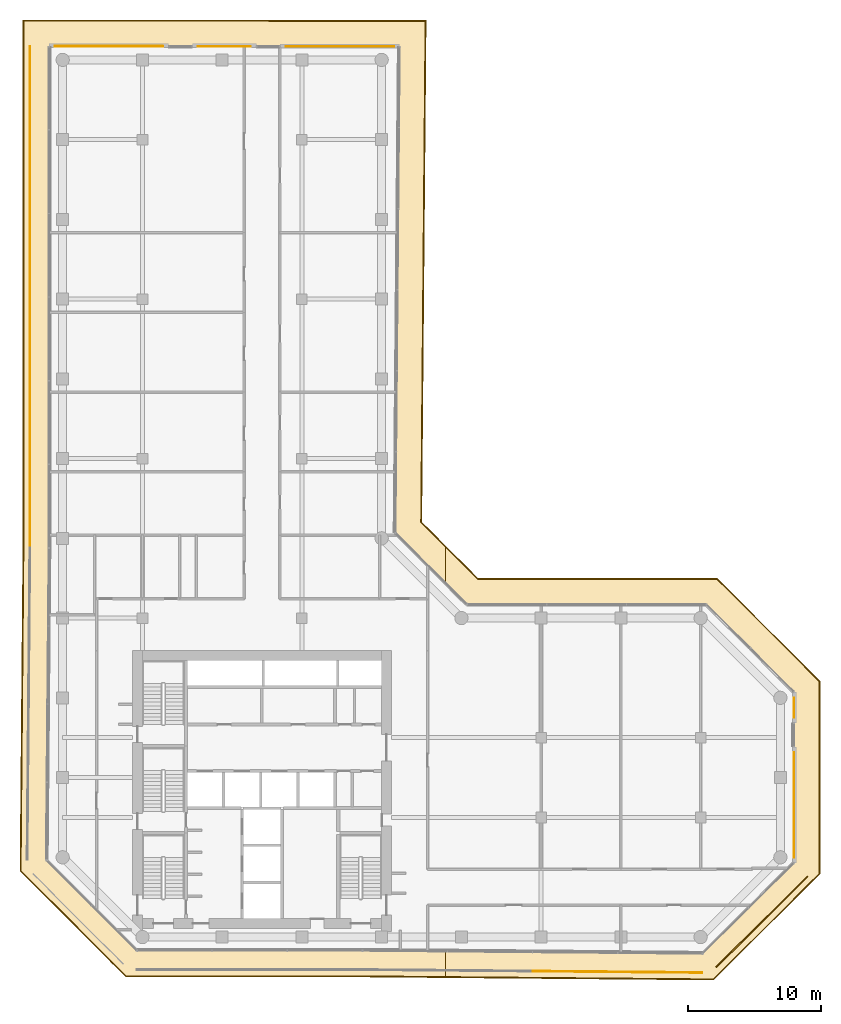
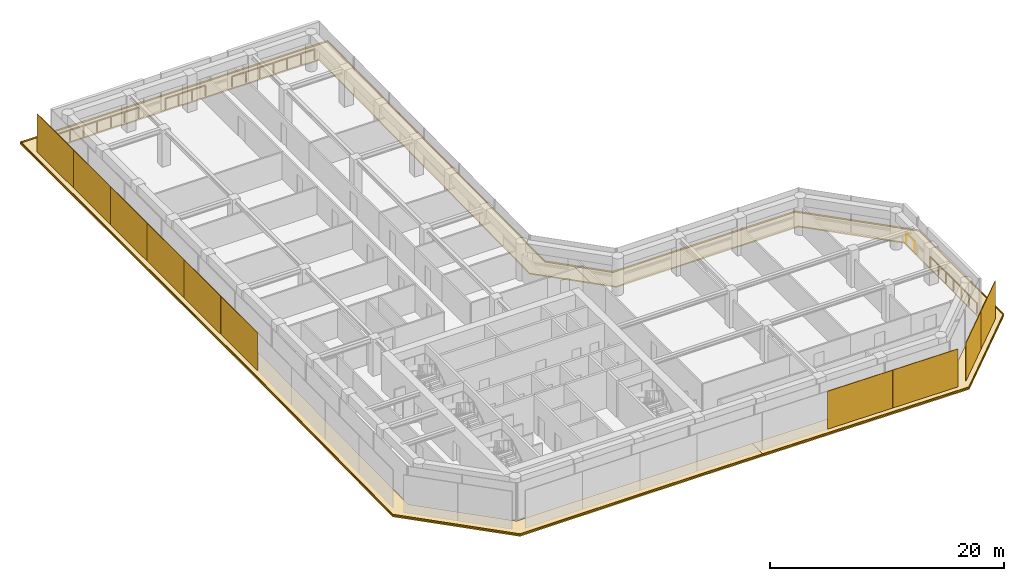
# One storey, part 23 of 23: 14 coverings, 5 railings.
"""IFC4 building model written with IfcOpenShell, lengths in metres."""

from ifc_helpers import new_model, si_unit, direction, frame, origin, origin_2d, place, context, subcontext, project, spatial, polyline, rectangle, circle, outline, extrude, material, layer, layer_set, type_object, element, save


model = new_model("IFC4")

# Units and contexts
model_context = context("Model", 3, precision=1e-05, world=origin(), true_north=direction((0.0, 1.0)))
body_context = subcontext(model_context, "Body", "Model", "MODEL_VIEW")
ifc_project = project(units=[si_unit("LENGTHUNIT", "METRE"), si_unit("AREAUNIT", "SQUARE_METRE"), si_unit("VOLUMEUNIT", "CUBIC_METRE"), si_unit("PLANEANGLEUNIT", "RADIAN"), si_unit("MASSUNIT", "GRAM", prefix="KILO")], contexts=[model_context])

# Site, building, storey
site_placement = place(None, origin())
site = spatial("IfcSite", under=ifc_project, at=site_placement, CompositionType="ELEMENT")
building_placement = place(site_placement, origin())
building = spatial("IfcBuilding", under=site, at=building_placement, Name="Welwitschia Terrace Campus", CompositionType="ELEMENT")
storey_placement = place(building_placement, frame((0.0, 0.0, 113.0)))
storey = spatial("IfcBuildingStorey", under=building, at=storey_placement, Name="L25", CompositionType="ELEMENT", Elevation=113.0)

# Coverings
ifc_material_1 = material(Name="Bronze mesh aluminium screen", Category="aluminium")
ifc_layer_1 = layer(ifc_material_1, 0.06005859375)
ifc_layer_set_1 = layer_set([ifc_layer_1], Name="Bronze mesh aluminium screen")
covering_type_1 = type_object("IfcCoveringType", Name="Bronze screen 60", PredefinedType="USERDEFINED", material=ifc_layer_set_1)
for number, where, z_axis, x_axis, name in (
    (1, (-2.4599609375, 67.884521484375, 0.0), (0.0, 0.0, 1.0), (0.0, -1.0, 0.0), "Screen L25.1.0"),
    (2, (-2.4599609375, 61.593505859375, 0.0), (0.0, 0.0, 1.0), (0.0, -1.0, 0.0), "Screen L25.1.1"),
    (3, (-2.4599609375, 55.302490234375, 0.0), (0.0, 0.0, 1.0), (0.0, -1.0, 0.0), "Screen L25.1.2"),
    (4, (-2.4599609375, 49.01123046875, 0.0), (0.0, 0.0, 1.0), (0.0, -1.0, 0.0), "Screen L25.1.3"),
    (5, (-2.4599609375, 42.72021484375, 0.0), (0.0, 0.0, 1.0), (0.0, -1.0, 0.0), "Screen L25.1.4"),
    (6, (-2.4599609375, 36.42919921875, 0.0), (0.0, 0.0, 1.0), (0.0, -1.0, 0.0), "Screen L25.1.5"),
):
    element("IfcCovering", number, at=place(storey_placement, frame(where, z_axis=z_axis, x_axis=x_axis)), inside=storey, type_object=covering_type_1, Name=name, ObjectType="SCREEN", PredefinedType="USERDEFINED", context=body_context, shape_type="SweptSolid", body=[
        extrude(rectangle(XDim=6.27099609375, YDim=0.06005859375, at=origin_2d()), origin(), (0.0, 0.0, 1.0), 3.949951171875),
    ])
for number, where, z_axis, x_axis, name in (
    (7, (38.5439453125, 1.400390625, 0.0), (0.0, 0.0, 1.0), (0.999961923064, -0.008726535498, 0.0), "Screen L25.5.2"),
    (8, (44.94775390625, 1.344482421875, 0.0), (0.0, 0.0, 1.0), (0.999961923064, -0.008726535498, 0.0), "Screen L25.5.3"),
):
    element("IfcCovering", number, at=place(storey_placement, frame(where, z_axis=z_axis, x_axis=x_axis)), inside=storey, type_object=covering_type_1, Name=name, ObjectType="SCREEN", PredefinedType="USERDEFINED", context=body_context, shape_type="SweptSolid", body=[
        extrude(rectangle(XDim=6.384033203125, YDim=0.06005859375, at=origin_2d()), origin(), (0.0, 0.0, 1.0), 3.949951171875),
    ])
for number, where, z_axis, x_axis, name in (
    (9, (50.88720703125, 3.43896484375, 0.0), (0.0, 0.0, 1.0), (0.70922178721, 0.704985430024, 0.0), "Screen L25.6.0"),
    (10, (54.3212890625, 6.852294921875, 0.0), (0.0, 0.0, 1.0), (0.70922178721, 0.704985430024, 0.0), "Screen L25.6.1"),
):
    element("IfcCovering", number, at=place(storey_placement, frame(where, z_axis=z_axis, x_axis=x_axis)), inside=storey, type_object=covering_type_1, Name=name, ObjectType="SCREEN", PredefinedType="USERDEFINED", context=body_context, shape_type="SweptSolid", body=[
        extrude(rectangle(XDim=4.82177734375, YDim=0.06005859375, at=origin_2d()), origin(), (0.0, 0.0, 1.0), 3.949951171875),
    ])

# Railings
ifc_material_2 = material(Name="Stainless steel grade 316", Category="steel")
railing_type = type_object("IfcRailingType", Name="Guard 1100", PredefinedType="GUARDRAIL", material=ifc_material_2)
railing_1_placement = place(storey_placement, frame((-0.579833984375, 71.02978515625, 0.0)))
element("IfcRailing", 11, at=railing_1_placement, inside=storey, type_object=railing_type, Name="Guard floor edge L25.0", PredefinedType="GUARDRAIL", context=body_context, shape_type="SweptSolid", body=[
    extrude(circle(Radius=0.02392578125, at=origin_2d()), frame((0.0, 0.0, 1.076171875), z_axis=(0.999999645834, -0.000841624037, 0.0), x_axis=(0.000841624037, 0.999999645834, 0.0)), (0.0, 0.0, 1.0), 8.122314453125),
    extrude(circle(Radius=0.02099609375, at=origin_2d()), origin(), (0.0, 0.0, 1.0), 1.052001953125),
    extrude(circle(Radius=0.02099609375, at=origin_2d()), frame((1.353759765625, -0.001220703125, 0.0)), (0.0, 0.0, 1.0), 1.052001953125),
    extrude(circle(Radius=0.02099609375, at=origin_2d()), frame((2.70751953125, -0.002197265625, 0.0)), (0.0, 0.0, 1.0), 1.052001953125),
    extrude(circle(Radius=0.02099609375, at=origin_2d()), frame((4.06103515625, -0.00341796875, 0.0)), (0.0, 0.0, 1.0), 1.052001953125),
    extrude(circle(Radius=0.02099609375, at=origin_2d()), frame((5.414794921875, -0.004638671875, 0.0)), (0.0, 0.0, 1.0), 1.052001953125),
    extrude(circle(Radius=0.02099609375, at=origin_2d()), frame((6.7685546875, -0.005615234375, 0.0)), (0.0, 0.0, 1.0), 1.052001953125),
    extrude(circle(Radius=0.02099609375, at=origin_2d()), frame((8.122314453125, -0.0068359375, 0.0)), (0.0, 0.0, 1.0), 1.052001953125),
])
railing_2_placement = place(storey_placement, frame((10.18994140625, 71.020751953125, 0.0)))
element("IfcRailing", 12, at=railing_2_placement, inside=storey, type_object=railing_type, Name="Guard floor edge L25.1", PredefinedType="GUARDRAIL", context=body_context, shape_type="SweptSolid", body=[
    extrude(circle(Radius=0.02392578125, at=origin_2d()), frame((0.0, 0.0, 1.076171875), z_axis=(0.999999677225, -0.000803460804, 0.0), x_axis=(0.000803460804, 0.999999677225, 0.0)), (0.0, 0.0, 1.0), 3.9501953125),
    extrude(circle(Radius=0.02099609375, at=origin_2d()), origin(), (0.0, 0.0, 1.0), 1.052001953125),
    extrude(circle(Radius=0.02099609375, at=origin_2d()), frame((1.316650390625, -0.0009765625, 0.0)), (0.0, 0.0, 1.0), 1.052001953125),
    extrude(circle(Radius=0.02099609375, at=origin_2d()), frame((2.633544921875, -0.002197265625, 0.0)), (0.0, 0.0, 1.0), 1.052001953125),
    extrude(circle(Radius=0.02099609375, at=origin_2d()), frame((3.9501953125, -0.003173828125, 0.0)), (0.0, 0.0, 1.0), 1.052001953125),
])
railing_3_placement = place(storey_placement, frame((16.78759765625, 71.015380859375, 0.0)))
element("IfcRailing", 13, at=railing_3_placement, inside=storey, type_object=railing_type, Name="Guard floor edge L25.2", PredefinedType="GUARDRAIL", context=body_context, shape_type="SweptSolid", body=[
    extrude(circle(Radius=0.02392578125, at=origin_2d()), frame((0.0, 0.0, 1.076171875), z_axis=(0.999999670601, -0.000811663644, 0.0), x_axis=(0.000811663644, 0.999999670601, 0.0)), (0.0, 0.0, 1.0), 8.121337890625),
    extrude(circle(Radius=0.02099609375, at=origin_2d()), origin(), (0.0, 0.0, 1.0), 1.052001953125),
    extrude(circle(Radius=0.02099609375, at=origin_2d()), frame((1.353515625, -0.0009765625, 0.0)), (0.0, 0.0, 1.0), 1.052001953125),
    extrude(circle(Radius=0.02099609375, at=origin_2d()), frame((2.70703125, -0.002197265625, 0.0)), (0.0, 0.0, 1.0), 1.052001953125),
    extrude(circle(Radius=0.02099609375, at=origin_2d()), frame((4.060546875, -0.00341796875, 0.0)), (0.0, 0.0, 1.0), 1.052001953125),
    extrude(circle(Radius=0.02099609375, at=origin_2d()), frame((5.414306640625, -0.00439453125, 0.0)), (0.0, 0.0, 1.0), 1.052001953125),
    extrude(circle(Radius=0.02099609375, at=origin_2d()), frame((6.767822265625, -0.00537109375, 0.0)), (0.0, 0.0, 1.0), 1.052001953125),
    extrude(circle(Radius=0.02099609375, at=origin_2d()), frame((8.121337890625, -0.006591796875, 0.0)), (0.0, 0.0, 1.0), 1.052001953125),
])
railing_4_placement = place(storey_placement, frame((55.030029296875, 17.8896484375, 0.0)))
element("IfcRailing", 14, at=railing_4_placement, inside=storey, type_object=railing_type, Name="Guard floor edge L25.3", PredefinedType="GUARDRAIL", context=body_context, shape_type="SweptSolid", body=[
    extrude(circle(Radius=0.02392578125, at=origin_2d()), frame((0.0, 0.0, 1.076171875), z_axis=(0.0, -1.0, 0.0), x_axis=(1.0, 0.0, 0.0)), (0.0, 0.0, 1.0), 7.892578125),
    extrude(circle(Radius=0.02099609375, at=origin_2d()), origin(), (0.0, 0.0, 1.0), 1.052001953125),
    extrude(circle(Radius=0.02099609375, at=origin_2d()), frame((0.0, -1.3154296875, 0.0)), (0.0, 0.0, 1.0), 1.052001953125),
    extrude(circle(Radius=0.02099609375, at=origin_2d()), frame((0.0, -2.630859375, 0.0)), (0.0, 0.0, 1.0), 1.052001953125),
    extrude(circle(Radius=0.02099609375, at=origin_2d()), frame((0.0, -3.9462890625, 0.0)), (0.0, 0.0, 1.0), 1.052001953125),
    extrude(circle(Radius=0.02099609375, at=origin_2d()), frame((0.0, -5.26171875, 0.0)), (0.0, 0.0, 1.0), 1.052001953125),
    extrude(circle(Radius=0.02099609375, at=origin_2d()), frame((0.0, -6.5771484375, 0.0)), (0.0, 0.0, 1.0), 1.052001953125),
    extrude(circle(Radius=0.02099609375, at=origin_2d()), frame((0.0, -7.892578125, 0.0)), (0.0, 0.0, 1.0), 1.052001953125),
])
railing_5_placement = place(storey_placement, frame((55.030029296875, 22.0029296875, 0.0)))
element("IfcRailing", 15, at=railing_5_placement, inside=storey, type_object=railing_type, Name="Guard floor edge L25.4", PredefinedType="GUARDRAIL", context=body_context, shape_type="SweptSolid", body=[
    extrude(circle(Radius=0.02392578125, at=origin_2d()), frame((0.0, 0.0, 1.076171875), z_axis=(0.0, -1.0, 0.0), x_axis=(1.0, 0.0, 0.0)), (0.0, 0.0, 1.0), 1.4658203125),
    extrude(circle(Radius=0.02099609375, at=origin_2d()), origin(), (0.0, 0.0, 1.0), 1.052001953125),
    extrude(circle(Radius=0.02099609375, at=origin_2d()), frame((0.0, -1.4658203125, 0.0)), (0.0, 0.0, 1.0), 1.052001953125),
])

# Coverings
ifc_material_3 = material(Name="Bronze anodised aluminium", Category="aluminium")
ifc_layer_2 = layer(ifc_material_3, 0.1201171875)
ifc_layer_set_2 = layer_set([ifc_layer_2], Name="Bronze anodised aluminium")
covering_type_2 = type_object("IfcCoveringType", Name="Sunshade band 2000", PredefinedType="USERDEFINED", material=ifc_layer_set_2)
covering_1_placement = place(storey_placement, frame((0.0, 0.0, -0.25)))
element("IfcCovering", 16, at=covering_1_placement, inside=storey, type_object=covering_type_2, Name="SUNSHADE L25.SW0", ObjectType="SUNSHADE", PredefinedType="USERDEFINED", context=body_context, shape_type="SweptSolid", body=[
    extrude(outline(polyline([(28.794921875, 33.447509765625), (28.794921875, 30.619140625), (25.0107421875, 34.403564453125), (25.329833984375, 70.978271484375), (-1.0, 71.0), (-1.0, 33.283447265625), (-1.205078125, 9.793212890625), (5.585693359375, 3.0), (22.547119140625, 3.0), (28.794921875, 2.945556640625), (28.794921875, 0.9453125), (22.53857421875, 1.0), (4.757080078125, 1.0), (-3.212158203125, 8.972412109375), (-3.0, 33.292236328125), (-3.0, 73.001708984375), (27.347412109375, 72.9765625), (27.01806640625, 35.224609375), (28.794921875, 33.447509765625)])), origin(), (0.0, 0.0, 1.0), 0.1201171875),
])
covering_2_placement = place(storey_placement, frame((0.0, 0.0, -0.25)))
element("IfcCovering", 17, at=covering_2_placement, inside=storey, type_object=covering_type_2, Name="SUNSHADE L25.SE0", ObjectType="SUNSHADE", PredefinedType="USERDEFINED", context=body_context, shape_type="SweptSolid", body=[
    extrude(outline(polyline([(31.24267578125, 31.0), (49.24267578125, 31.0), (57.0, 23.24267578125), (57.0, 8.75390625), (48.967529296875, 0.769287109375), (28.794921875, 0.9453125), (28.794921875, 2.945556640625), (48.14990234375, 2.776611328125), (55.0, 9.585693359375), (55.0, 22.414306640625), (48.414306640625, 29.0), (30.414306640625, 29.0), (28.794921875, 30.619140625), (28.794921875, 33.447509765625), (31.24267578125, 31.0)])), origin(), (0.0, 0.0, 1.0), 0.1201171875),
])
ifc_material_4 = material(Name="Bronze anodised aluminium", Category="aluminium")
ifc_layer_3 = layer(ifc_material_4, 0.06005859375)
ifc_layer_set_3 = layer_set([ifc_layer_3], Name="Bronze anodised aluminium")
covering_type_3 = type_object("IfcCoveringType", Name="Sunshade lip 60", PredefinedType="USERDEFINED", material=ifc_layer_set_3)
covering_3_placement = place(storey_placement, frame((0.0, 0.0, -0.1298828125)))
element("IfcCovering", 18, at=covering_3_placement, inside=storey, type_object=covering_type_3, Name="SUNSHADE LIP L25.SW0.0", ObjectType="SUNSHADE", PredefinedType="USERDEFINED", context=body_context, shape_type="SweptSolid", body=[
    extrude(outline(polyline([(28.794921875, 33.36279296875), (26.957763671875, 35.199951171875), (27.286865234375, 72.916748046875), (-2.93994140625, 72.941650390625), (-2.93994140625, 33.2919921875), (-3.152099609375, 8.9970703125), (4.781982421875, 1.06005859375), (22.538818359375, 1.06005859375), (28.794921875, 1.00537109375), (28.794921875, 0.9453125), (22.53857421875, 1.0), (4.757080078125, 1.0), (-3.212158203125, 8.972412109375), (-3.0, 33.292236328125), (-3.0, 73.001708984375), (27.347412109375, 72.9765625), (27.01806640625, 35.224609375), (28.794921875, 33.447509765625), (28.794921875, 33.36279296875)])), origin(), (0.0, 0.0, 1.0), 0.1298828125),
])
covering_4_placement = place(storey_placement, frame((0.0, 0.0, -0.1298828125)))
element("IfcCovering", 19, at=covering_4_placement, inside=storey, type_object=covering_type_3, Name="SUNSHADE LIP L25.SE0.0", ObjectType="SUNSHADE", PredefinedType="USERDEFINED", context=body_context, shape_type="SweptSolid", body=[
    extrude(outline(polyline([(49.24267578125, 31.0), (57.0, 23.24267578125), (57.0, 8.75390625), (48.967529296875, 0.769287109375), (28.794921875, 0.9453125), (28.794921875, 1.00537109375), (48.943115234375, 0.82958984375), (56.93994140625, 8.77880859375), (56.93994140625, 23.2177734375), (49.2177734375, 30.93994140625), (31.2177734375, 30.93994140625), (28.794921875, 33.36279296875), (28.794921875, 33.447509765625), (31.24267578125, 31.0), (49.24267578125, 31.0)])), origin(), (0.0, 0.0, 1.0), 0.1298828125),
])

save(model, "model.ifc")
